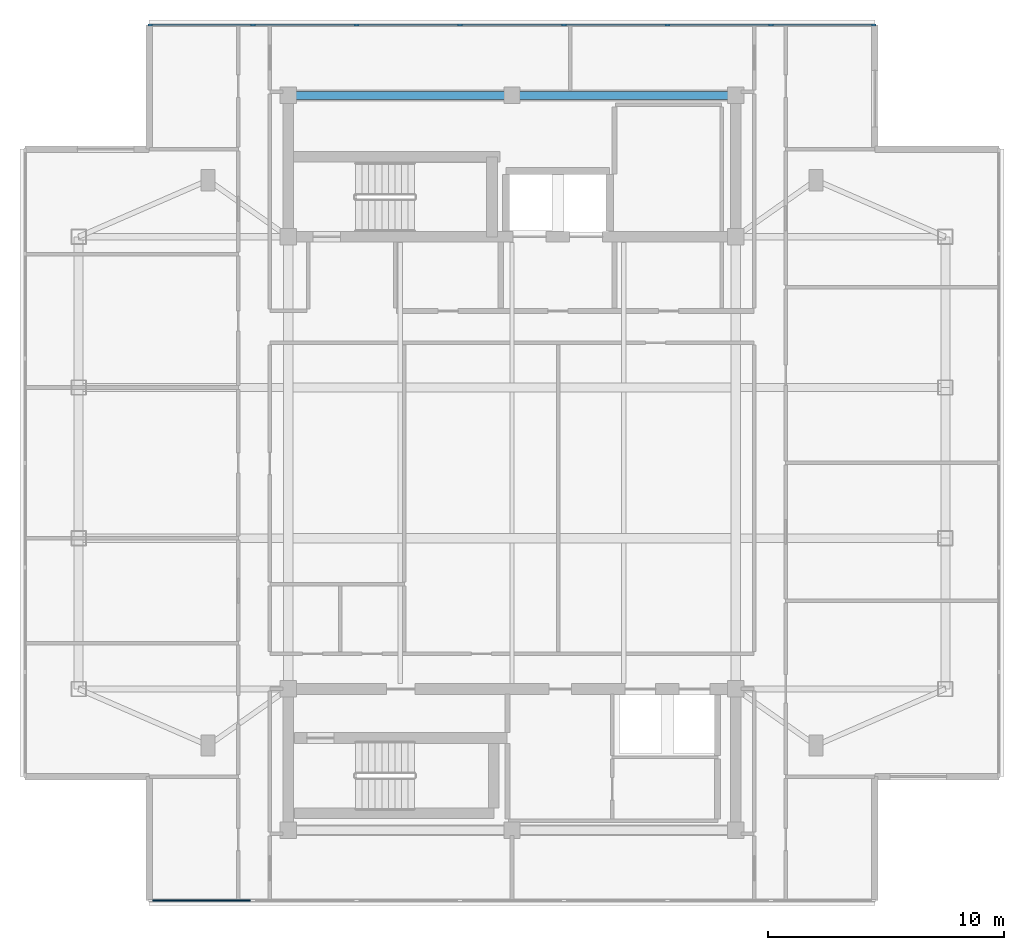
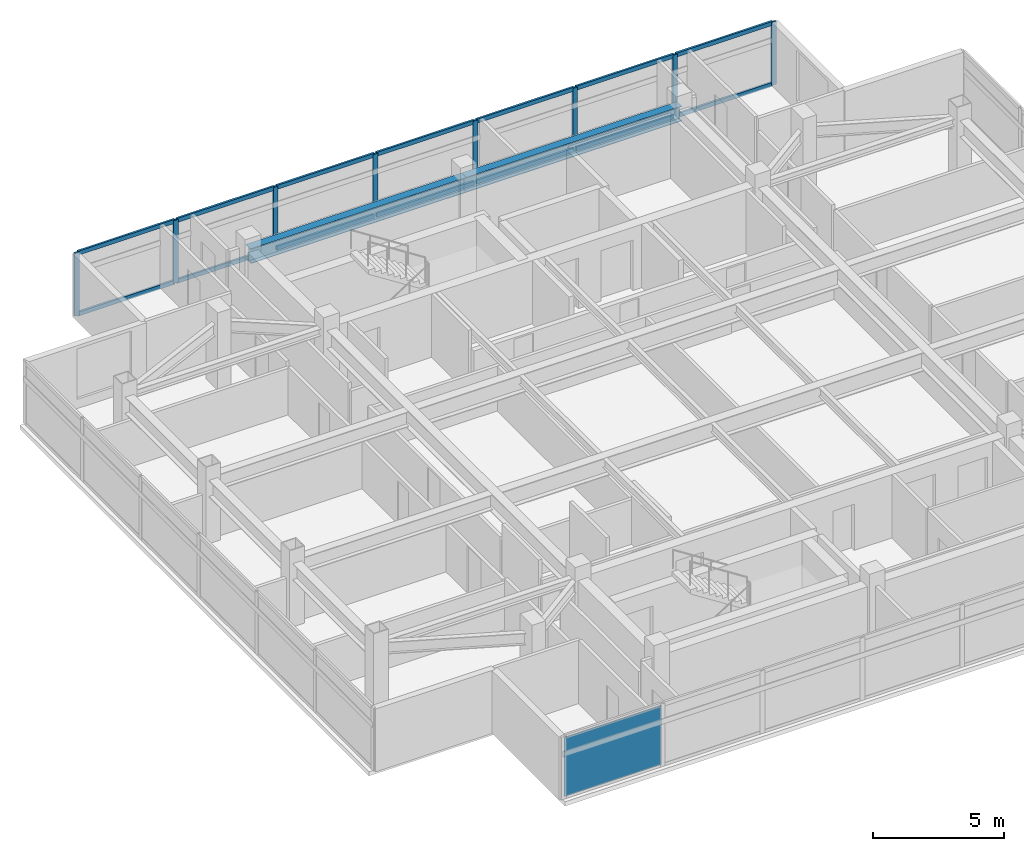
# One storey, part 4 of 11: 22 members, 2 beams, 1 plate, 2 elements without a shape of their own.
"""IFC4 building model written with IfcOpenShell, lengths in metres."""

from ifc_helpers import new_model, si_unit, direction, frame, origin, origin_2d, place, context, subcontext, project, spatial, rectangle, i_section, extrude, material, layer, layer_set, material_profile, profile_set, type_object, element, aggregate, save


model = new_model("IFC4")

# Units and contexts
model_context = context("Model", 3, precision=1e-05, world=origin(), true_north=direction((0.0, 1.0)))
body_context = subcontext(model_context, "Body", "Model", "MODEL_VIEW")
ifc_project = project(units=[si_unit("LENGTHUNIT", "METRE"), si_unit("AREAUNIT", "SQUARE_METRE"), si_unit("VOLUMEUNIT", "CUBIC_METRE"), si_unit("PLANEANGLEUNIT", "RADIAN"), si_unit("MASSUNIT", "GRAM", prefix="KILO")], contexts=[model_context])

# Site, building, storey
site_placement = place(None, origin())
site = spatial("IfcSite", under=ifc_project, at=site_placement, CompositionType="ELEMENT")
building_placement = place(site_placement, origin())
building = spatial("IfcBuilding", under=site, at=building_placement, Name="Mirazonda Arch Towers", CompositionType="ELEMENT")
storey_placement = place(building_placement, frame((0.0, 0.0, 259.89990234375)))
storey = spatial("IfcBuildingStorey", under=building, at=storey_placement, Name="L74", CompositionType="ELEMENT", Elevation=259.89990234375)

# Beams
ifc_material_1 = material(Name="Steel ASTM A992 Grade 50", Category="steel")
ifc_material_profile_1 = material_profile(ifc_material_1, i_section(OverallWidth=0.35498046875, OverallDepth=0.696044921875, WebThickness=0.015380859375, FlangeThickness=0.02490234375, at=origin_2d()), Name="W27X146")
ifc_profile_set_1 = profile_set([ifc_material_profile_1], Name="Steel ASTM A992 Grade 50")
beam_type = type_object("IfcBeamType", Name="BM-INT-W27X146", PredefinedType="BEAM", material=ifc_profile_set_1)
for number, where, z_axis, x_axis, name in (
    (1, (11.0, 43.60009765625, 2.60205078125), (1.0, 0.0, 0.0), (0.0, 1.0, 0.0), "L74 Floor Beam BM-T1-L74-CN1"),
    (2, (20.5, 43.60009765625, 2.60205078125), (1.0, 0.0, 0.0), (0.0, 1.0, 0.0), "L74 Floor Beam BM-T1-L74-CN2"),
):
    element("IfcBeam", number, at=place(storey_placement, frame(where, z_axis=z_axis, x_axis=x_axis)), inside=storey, type_object=beam_type, Name=name, PredefinedType="BEAM", context=body_context, shape_type="SweptSolid", body=[
        extrude(i_section(OverallWidth=0.35498046875, OverallDepth=0.696044921875, WebThickness=0.015380859375, FlangeThickness=0.02490234375, at=origin_2d()), origin(), (0.0, 0.0, 1.0), 9.5),
    ])

# Curtain wall, members
ifc_material_2 = material(Name="Anodised Aluminium and Low-E Glass", Category="aluminium")
curtain_wall_type = type_object("IfcCurtainWallType", Name="CW-OBS-LANTERN", PredefinedType="NOTDEFINED", material=ifc_material_2)
curtain_wall_1_placement = place(storey_placement, origin())
curtain_wall_1 = element("IfcCurtainWall", 3, at=curtain_wall_1_placement, inside=storey, type_object=curtain_wall_type, Name="L74 T1 N Facade CW-L74-T1-N", PredefinedType="NOTDEFINED")
ifc_material_3 = material(Name="Anodised Aluminium Alloy", Category="aluminium")
ifc_material_profile_2 = material_profile(ifc_material_3, rectangle(XDim=0.090087890625, YDim=0.2099609375, at=origin_2d()), Name="ALU-MULL-90x210")
ifc_profile_set_2 = profile_set([ifc_material_profile_2], Name="Anodised Aluminium Alloy")
member_type_1 = type_object("IfcMemberType", Name="MULL-CW-OBS-LANTERN", PredefinedType="MULLION", material=ifc_profile_set_2)
member_1_placement = place(storey_placement, frame((5.139892578125, 46.583984375, 0.0), z_axis=(0.0, 0.0, 1.0), x_axis=(0.0, 1.0, 0.0)))
member_1 = element("IfcMember", 4, at=member_1_placement, type_object=member_type_1, Name="CW-110 mullion 1", PredefinedType="MULLION", context=body_context, shape_type="SweptSolid", body=[
    extrude(rectangle(XDim=0.090087890625, YDim=0.2099609375, at=origin_2d()), origin(), (0.0, 0.0, 1.0), 2.93017578125),
])
member_2_placement = place(storey_placement, frame((9.496337890625, 46.583984375, 0.0), z_axis=(0.0, 0.0, 1.0), x_axis=(0.0, 1.0, 0.0)))
member_2 = element("IfcMember", 5, at=member_2_placement, type_object=member_type_1, Name="CW-110 mullion 2", PredefinedType="MULLION", context=body_context, shape_type="SweptSolid", body=[
    extrude(rectangle(XDim=0.090087890625, YDim=0.2099609375, at=origin_2d()), origin(), (0.0, 0.0, 1.0), 2.93017578125),
])
member_3_placement = place(storey_placement, frame((13.89794921875, 46.583984375, 0.0), z_axis=(0.0, 0.0, 1.0), x_axis=(0.0, 1.0, 0.0)))
member_3 = element("IfcMember", 6, at=member_3_placement, type_object=member_type_1, Name="CW-110 mullion 3", PredefinedType="MULLION", context=body_context, shape_type="SweptSolid", body=[
    extrude(rectangle(XDim=0.090087890625, YDim=0.2099609375, at=origin_2d()), origin(), (0.0, 0.0, 1.0), 2.93017578125),
])
member_4_placement = place(storey_placement, frame((18.29931640625, 46.583984375, 0.0), z_axis=(0.0, 0.0, 1.0), x_axis=(0.0, 1.0, 0.0)))
member_4 = element("IfcMember", 7, at=member_4_placement, type_object=member_type_1, Name="CW-110 mullion 4", PredefinedType="MULLION", context=body_context, shape_type="SweptSolid", body=[
    extrude(rectangle(XDim=0.090087890625, YDim=0.2099609375, at=origin_2d()), origin(), (0.0, 0.0, 1.0), 2.93017578125),
])
member_5_placement = place(storey_placement, frame((22.70068359375, 46.583984375, 0.0), z_axis=(0.0, 0.0, 1.0), x_axis=(0.0, 1.0, 0.0)))
member_5 = element("IfcMember", 8, at=member_5_placement, type_object=member_type_1, Name="CW-110 mullion 5", PredefinedType="MULLION", context=body_context, shape_type="SweptSolid", body=[
    extrude(rectangle(XDim=0.090087890625, YDim=0.2099609375, at=origin_2d()), origin(), (0.0, 0.0, 1.0), 2.93017578125),
])
member_6_placement = place(storey_placement, frame((27.10205078125, 46.583984375, 0.0), z_axis=(0.0, 0.0, 1.0), x_axis=(0.0, 1.0, 0.0)))
member_6 = element("IfcMember", 9, at=member_6_placement, type_object=member_type_1, Name="CW-110 mullion 6", PredefinedType="MULLION", context=body_context, shape_type="SweptSolid", body=[
    extrude(rectangle(XDim=0.090087890625, YDim=0.2099609375, at=origin_2d()), origin(), (0.0, 0.0, 1.0), 2.93017578125),
])
member_7_placement = place(storey_placement, frame((31.503662109375, 46.583984375, 0.0), z_axis=(0.0, 0.0, 1.0), x_axis=(0.0, 1.0, 0.0)))
member_7 = element("IfcMember", 10, at=member_7_placement, type_object=member_type_1, Name="CW-110 mullion 7", PredefinedType="MULLION", context=body_context, shape_type="SweptSolid", body=[
    extrude(rectangle(XDim=0.090087890625, YDim=0.2099609375, at=origin_2d()), origin(), (0.0, 0.0, 1.0), 2.93017578125),
])
member_8_placement = place(storey_placement, frame((35.860107421875, 46.583984375, 0.0), z_axis=(0.0, 0.0, 1.0), x_axis=(0.0, 1.0, 0.0)))
member_8 = element("IfcMember", 11, at=member_8_placement, type_object=member_type_1, Name="CW-110 mullion 8", PredefinedType="MULLION", context=body_context, shape_type="SweptSolid", body=[
    extrude(rectangle(XDim=0.090087890625, YDim=0.2099609375, at=origin_2d()), origin(), (0.0, 0.0, 1.0), 2.93017578125),
])
ifc_material_profile_3 = material_profile(ifc_material_3, rectangle(XDim=0.090087890625, YDim=0.18994140625, at=origin_2d()), Name="ALU-TRAN-90x190")
ifc_profile_set_3 = profile_set([ifc_material_profile_3], Name="Anodised Aluminium Alloy")
member_type_2 = type_object("IfcMemberType", Name="TRAN-CW-OBS-LANTERN", PredefinedType="USERDEFINED", material=ifc_profile_set_3)
member_9_placement = place(storey_placement, frame((5.18505859375, 46.583984375, 0.045166015625), z_axis=(1.0, 0.0, 0.0), x_axis=(0.0, 1.0, 0.0)))
member_9 = element("IfcMember", 12, at=member_9_placement, type_object=member_type_2, Name="CW-110 transom 1.1", ObjectType="TRANSOM", PredefinedType="USERDEFINED", context=body_context, shape_type="SweptSolid", body=[
    extrude(rectangle(XDim=0.090087890625, YDim=0.18994140625, at=origin_2d()), origin(), (0.0, 0.0, 1.0), 4.266357421875),
])
member_10_placement = place(storey_placement, frame((5.18505859375, 46.583984375, 2.885009765625), z_axis=(1.0, 0.0, 0.0), x_axis=(0.0, 1.0, 0.0)))
member_10 = element("IfcMember", 13, at=member_10_placement, type_object=member_type_2, Name="CW-110 transom 1.2", ObjectType="TRANSOM", PredefinedType="USERDEFINED", context=body_context, shape_type="SweptSolid", body=[
    extrude(rectangle(XDim=0.090087890625, YDim=0.18994140625, at=origin_2d()), origin(), (0.0, 0.0, 1.0), 4.266357421875),
])
member_11_placement = place(storey_placement, frame((9.54150390625, 46.583984375, 0.045166015625), z_axis=(1.0, 0.0, 0.0), x_axis=(0.0, 1.0, 0.0)))
member_11 = element("IfcMember", 14, at=member_11_placement, type_object=member_type_2, Name="CW-110 transom 2.1", ObjectType="TRANSOM", PredefinedType="USERDEFINED", context=body_context, shape_type="SweptSolid", body=[
    extrude(rectangle(XDim=0.090087890625, YDim=0.18994140625, at=origin_2d()), origin(), (0.0, 0.0, 1.0), 4.311279296875),
])
member_12_placement = place(storey_placement, frame((9.54150390625, 46.583984375, 2.885009765625), z_axis=(1.0, 0.0, 0.0), x_axis=(0.0, 1.0, 0.0)))
member_12 = element("IfcMember", 15, at=member_12_placement, type_object=member_type_2, Name="CW-110 transom 2.2", ObjectType="TRANSOM", PredefinedType="USERDEFINED", context=body_context, shape_type="SweptSolid", body=[
    extrude(rectangle(XDim=0.090087890625, YDim=0.18994140625, at=origin_2d()), origin(), (0.0, 0.0, 1.0), 4.311279296875),
])
member_13_placement = place(storey_placement, frame((13.94287109375, 46.583984375, 0.045166015625), z_axis=(1.0, 0.0, 0.0), x_axis=(0.0, 1.0, 0.0)))
member_13 = element("IfcMember", 16, at=member_13_placement, type_object=member_type_2, Name="CW-110 transom 3.1", ObjectType="TRANSOM", PredefinedType="USERDEFINED", context=body_context, shape_type="SweptSolid", body=[
    extrude(rectangle(XDim=0.090087890625, YDim=0.18994140625, at=origin_2d()), origin(), (0.0, 0.0, 1.0), 4.3115234375),
])
member_14_placement = place(storey_placement, frame((13.94287109375, 46.583984375, 2.885009765625), z_axis=(1.0, 0.0, 0.0), x_axis=(0.0, 1.0, 0.0)))
member_14 = element("IfcMember", 17, at=member_14_placement, type_object=member_type_2, Name="CW-110 transom 3.2", ObjectType="TRANSOM", PredefinedType="USERDEFINED", context=body_context, shape_type="SweptSolid", body=[
    extrude(rectangle(XDim=0.090087890625, YDim=0.18994140625, at=origin_2d()), origin(), (0.0, 0.0, 1.0), 4.3115234375),
])
member_15_placement = place(storey_placement, frame((18.34423828125, 46.583984375, 0.045166015625), z_axis=(1.0, 0.0, 0.0), x_axis=(0.0, 1.0, 0.0)))
member_15 = element("IfcMember", 18, at=member_15_placement, type_object=member_type_2, Name="CW-110 transom 4.1", ObjectType="TRANSOM", PredefinedType="USERDEFINED", context=body_context, shape_type="SweptSolid", body=[
    extrude(rectangle(XDim=0.090087890625, YDim=0.18994140625, at=origin_2d()), origin(), (0.0, 0.0, 1.0), 4.3115234375),
])
member_16_placement = place(storey_placement, frame((18.34423828125, 46.583984375, 2.885009765625), z_axis=(1.0, 0.0, 0.0), x_axis=(0.0, 1.0, 0.0)))
member_16 = element("IfcMember", 19, at=member_16_placement, type_object=member_type_2, Name="CW-110 transom 4.2", ObjectType="TRANSOM", PredefinedType="USERDEFINED", context=body_context, shape_type="SweptSolid", body=[
    extrude(rectangle(XDim=0.090087890625, YDim=0.18994140625, at=origin_2d()), origin(), (0.0, 0.0, 1.0), 4.3115234375),
])
member_17_placement = place(storey_placement, frame((22.74560546875, 46.583984375, 0.045166015625), z_axis=(1.0, 0.0, 0.0), x_axis=(0.0, 1.0, 0.0)))
member_17 = element("IfcMember", 20, at=member_17_placement, type_object=member_type_2, Name="CW-110 transom 5.1", ObjectType="TRANSOM", PredefinedType="USERDEFINED", context=body_context, shape_type="SweptSolid", body=[
    extrude(rectangle(XDim=0.090087890625, YDim=0.18994140625, at=origin_2d()), origin(), (0.0, 0.0, 1.0), 4.3115234375),
])
member_18_placement = place(storey_placement, frame((22.74560546875, 46.583984375, 2.885009765625), z_axis=(1.0, 0.0, 0.0), x_axis=(0.0, 1.0, 0.0)))
member_18 = element("IfcMember", 21, at=member_18_placement, type_object=member_type_2, Name="CW-110 transom 5.2", ObjectType="TRANSOM", PredefinedType="USERDEFINED", context=body_context, shape_type="SweptSolid", body=[
    extrude(rectangle(XDim=0.090087890625, YDim=0.18994140625, at=origin_2d()), origin(), (0.0, 0.0, 1.0), 4.3115234375),
])
member_19_placement = place(storey_placement, frame((27.147216796875, 46.583984375, 0.045166015625), z_axis=(1.0, 0.0, 0.0), x_axis=(0.0, 1.0, 0.0)))
member_19 = element("IfcMember", 22, at=member_19_placement, type_object=member_type_2, Name="CW-110 transom 6.1", ObjectType="TRANSOM", PredefinedType="USERDEFINED", context=body_context, shape_type="SweptSolid", body=[
    extrude(rectangle(XDim=0.090087890625, YDim=0.18994140625, at=origin_2d()), origin(), (0.0, 0.0, 1.0), 4.311279296875),
])
member_20_placement = place(storey_placement, frame((27.147216796875, 46.583984375, 2.885009765625), z_axis=(1.0, 0.0, 0.0), x_axis=(0.0, 1.0, 0.0)))
member_20 = element("IfcMember", 23, at=member_20_placement, type_object=member_type_2, Name="CW-110 transom 6.2", ObjectType="TRANSOM", PredefinedType="USERDEFINED", context=body_context, shape_type="SweptSolid", body=[
    extrude(rectangle(XDim=0.090087890625, YDim=0.18994140625, at=origin_2d()), origin(), (0.0, 0.0, 1.0), 4.311279296875),
])
member_21_placement = place(storey_placement, frame((31.548583984375, 46.583984375, 0.045166015625), z_axis=(1.0, 0.0, 0.0), x_axis=(0.0, 1.0, 0.0)))
member_21 = element("IfcMember", 24, at=member_21_placement, type_object=member_type_2, Name="CW-110 transom 7.1", ObjectType="TRANSOM", PredefinedType="USERDEFINED", context=body_context, shape_type="SweptSolid", body=[
    extrude(rectangle(XDim=0.090087890625, YDim=0.18994140625, at=origin_2d()), origin(), (0.0, 0.0, 1.0), 4.266357421875),
])
member_22_placement = place(storey_placement, frame((31.548583984375, 46.583984375, 2.885009765625), z_axis=(1.0, 0.0, 0.0), x_axis=(0.0, 1.0, 0.0)))
member_22 = element("IfcMember", 25, at=member_22_placement, type_object=member_type_2, Name="CW-110 transom 7.2", ObjectType="TRANSOM", PredefinedType="USERDEFINED", context=body_context, shape_type="SweptSolid", body=[
    extrude(rectangle(XDim=0.090087890625, YDim=0.18994140625, at=origin_2d()), origin(), (0.0, 0.0, 1.0), 4.266357421875),
])
aggregate(curtain_wall_1, [member_1, member_2, member_3, member_4, member_5, member_6, member_7, member_8, member_9, member_10, member_11, member_12, member_13, member_14, member_15, member_16, member_17, member_18, member_19, member_20, member_21, member_22])

# Curtain wall, plate
curtain_wall_2_placement = place(storey_placement, origin())
curtain_wall_2 = element("IfcCurtainWall", 26, at=curtain_wall_2_placement, inside=storey, type_object=curtain_wall_type, Name="L74 T1 S Facade CW-L74-T1-S", PredefinedType="NOTDEFINED")
ifc_material_4 = material(Name="Insulated Low-E Solar Glass", Category="glass")
ifc_layer = layer(ifc_material_4, 0.048095703125, Name="PAN-CW-OBS-LANTERN")
ifc_layer_set = layer_set([ifc_layer], Name="Insulated Low-E Solar Glass")
plate_type = type_object("IfcPlateType", Name="PAN-CW-OBS-LANTERN", PredefinedType="CURTAIN_PANEL", material=ifc_layer_set)
plate_placement = place(storey_placement, frame((7.318115234375, 9.416015625, 0.090087890625), z_axis=(0.0, 0.0, 1.0), x_axis=(-1.0, 0.0, 0.0)))
plate = element("IfcPlate", 27, at=plate_placement, type_object=plate_type, Name="CW-110 panel 7.1", PredefinedType="CURTAIN_PANEL", context=body_context, shape_type="SweptSolid", body=[
    extrude(rectangle(XDim=4.266357421875, YDim=0.048095703125, at=origin_2d()), origin(), (0.0, 0.0, 1.0), 2.75),
])
aggregate(curtain_wall_2, [plate])

save(model, "model.ifc")
